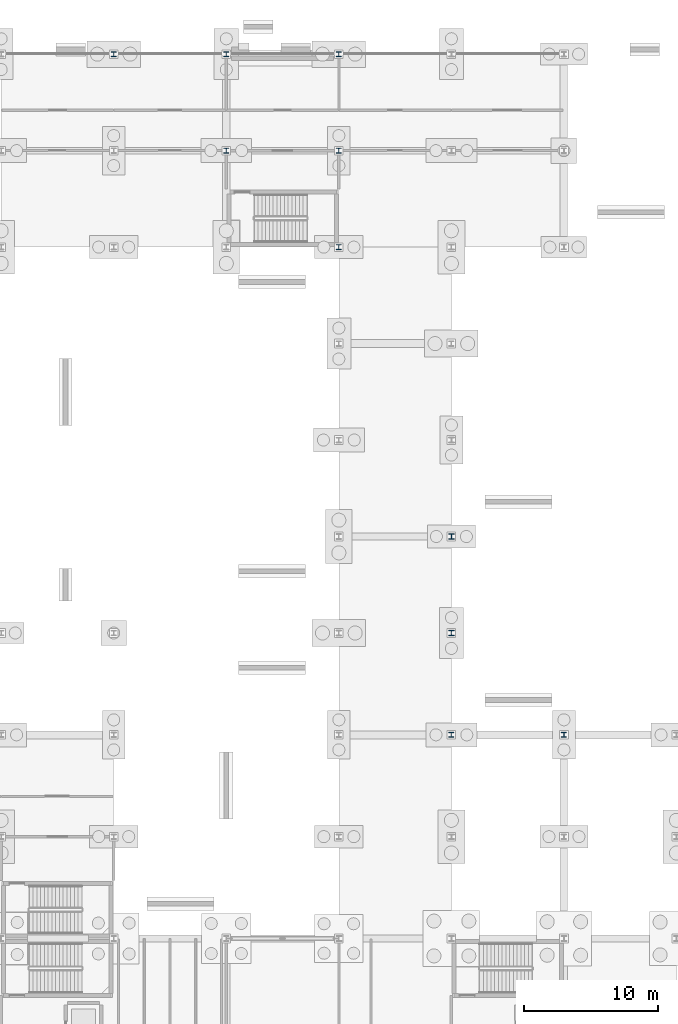
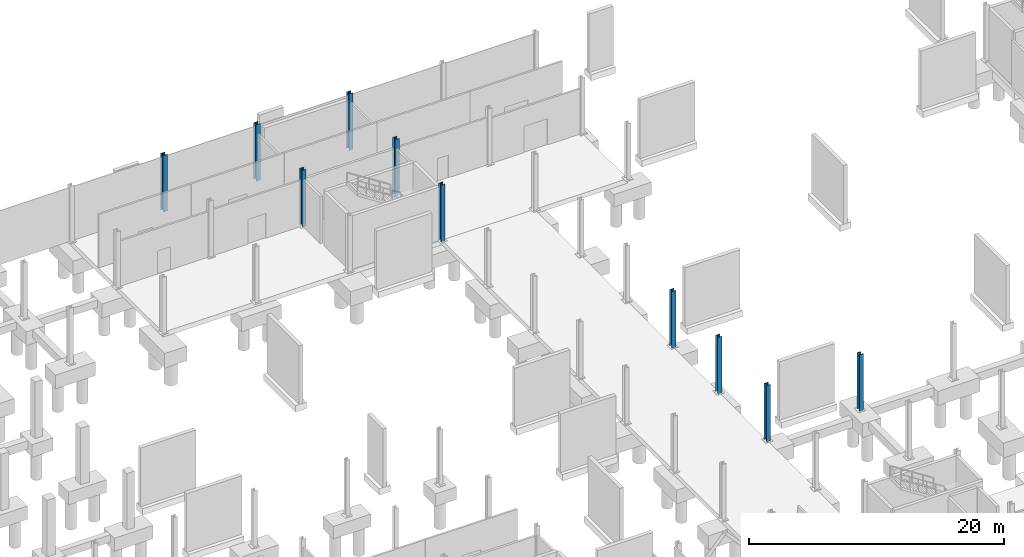
# One storey, part 25 of 61: 10 columns.
"""IFC4 building model written with IfcOpenShell, lengths in metres."""

from ifc_helpers import new_model, si_unit, direction, frame, origin, origin_2d, place, context, subcontext, project, spatial, i_section, extrude, material, material_profile, profile_set, type_object, element, save


model = new_model("IFC4")

# Units and contexts
model_context = context("Model", 3, precision=1e-05, world=origin(), true_north=direction((0.0, 1.0)))
body_context = subcontext(model_context, "Body", "Model", "MODEL_VIEW")
ifc_project = project(units=[si_unit("LENGTHUNIT", "METRE"), si_unit("AREAUNIT", "SQUARE_METRE"), si_unit("VOLUMEUNIT", "CUBIC_METRE"), si_unit("PLANEANGLEUNIT", "RADIAN"), si_unit("MASSUNIT", "GRAM", prefix="KILO")], contexts=[model_context])

# Site, building, storey
site_placement = place(None, origin())
site = spatial("IfcSite", under=ifc_project, at=site_placement, CompositionType="ELEMENT")
building_placement = place(site_placement, origin())
building = spatial("IfcBuilding", under=site, at=building_placement, Name="Calvrana Isthmian Art Gallery", CompositionType="ELEMENT")
storey_placement = place(building_placement, frame((0.0, 0.0, -5.39990234375)))
storey = spatial("IfcBuildingStorey", under=building, at=storey_placement, Name="B1", CompositionType="ELEMENT", Elevation=-5.39990234375)

# Columns
ifc_material = material(Name="Steel ASTM A992 Gr 50", Category="steel")
ifc_material_profile_1 = material_profile(ifc_material, i_section(OverallWidth=0.373046875, OverallDepth=0.373046875, WebThickness=0.016357421875, FlangeThickness=0.026123046875, FilletRadius=0.02490234375, at=origin_2d()), Name="W14X132")
ifc_profile_set_1 = profile_set([ifc_material_profile_1], Name="Steel ASTM A992 Gr 50")
column_type_1 = type_object("IfcColumnType", Name="COL-STL-W14X132", PredefinedType="COLUMN", material=ifc_profile_set_1)
for number, where, z_axis, x_axis, name in (
    (1, (46.800048828125, 105.60009765625, 0.0), (0.0, 0.0, 1.0), (1.0, 0.0, 0.0), "Column 07/O B1"),
    (2, (55.199951171875, 112.800048828125, 0.0), (0.0, 0.0, 1.0), (1.0, 0.0, 0.0), "Column 08/P B1"),
    (3, (63.60009765625, 62.0, 0.0), (0.0, 0.0, 1.0), (1.0, 0.0, 0.0), "Column 09/I B1"),
    (4, (72.0, 62.0, 0.0), (0.0, 0.0, 1.0), (1.0, 0.0, 0.0), "Column 10/I B1"),
):
    element("IfcColumn", number, at=place(storey_placement, frame(where, z_axis=z_axis, x_axis=x_axis)), inside=storey, type_object=column_type_1, Name=name, PredefinedType="COLUMN", context=body_context, shape_type="SweptSolid", body=[
        extrude(i_section(OverallWidth=0.373046875, OverallDepth=0.373046875, WebThickness=0.016357421875, FlangeThickness=0.026123046875, FilletRadius=0.02490234375, at=origin_2d()), origin(), (0.0, 0.0, 1.0), 5.39990234375),
    ])
ifc_material_profile_2 = material_profile(ifc_material, i_section(OverallWidth=0.39404296875, OverallDepth=0.3759765625, WebThickness=0.017333984375, FlangeThickness=0.027587890625, FilletRadius=0.02490234375, at=origin_2d()), Name="W14X145")
ifc_profile_set_2 = profile_set([ifc_material_profile_2], Name="Steel ASTM A992 Gr 50")
column_type_2 = type_object("IfcColumnType", Name="COL-STL-W14X145", PredefinedType="COLUMN", material=ifc_profile_set_2)
for number, where, z_axis, x_axis, name in (
    (5, (46.800048828125, 112.800048828125, 0.0), (0.0, 0.0, 1.0), (1.0, 0.0, 0.0), "Column 07/P B1"),
    (6, (63.60009765625, 69.60009765625, 0.0), (0.0, 0.0, 1.0), (1.0, 0.0, 0.0), "Column 09/J B1"),
):
    element("IfcColumn", number, at=place(storey_placement, frame(where, z_axis=z_axis, x_axis=x_axis)), inside=storey, type_object=column_type_2, Name=name, PredefinedType="COLUMN", context=body_context, shape_type="SweptSolid", body=[
        extrude(i_section(OverallWidth=0.39404296875, OverallDepth=0.3759765625, WebThickness=0.017333984375, FlangeThickness=0.027587890625, FilletRadius=0.02490234375, at=origin_2d()), origin(), (0.0, 0.0, 1.0), 5.39990234375),
    ])
ifc_material_profile_3 = material_profile(ifc_material, i_section(OverallWidth=0.39599609375, OverallDepth=0.381103515625, WebThickness=0.018798828125, FlangeThickness=0.0302734375, FilletRadius=0.02490234375, at=origin_2d()), Name="W14X159")
ifc_profile_set_3 = profile_set([ifc_material_profile_3], Name="Steel ASTM A992 Gr 50")
column_type_3 = type_object("IfcColumnType", Name="COL-STL-W14X159", PredefinedType="COLUMN", material=ifc_profile_set_3)
for number, where, z_axis, x_axis, name in (
    (7, (38.39990234375, 112.800048828125, 0.0), (0.0, 0.0, 1.0), (1.0, 0.0, 0.0), "Column 06/P B1"),
    (8, (55.199951171875, 98.39990234375, 0.0), (0.0, 0.0, 1.0), (1.0, 0.0, 0.0), "Column 08/N B1"),
    (9, (63.60009765625, 76.800048828125, 0.0), (0.0, 0.0, 1.0), (1.0, 0.0, 0.0), "Column 09/K B1"),
):
    element("IfcColumn", number, at=place(storey_placement, frame(where, z_axis=z_axis, x_axis=x_axis)), inside=storey, type_object=column_type_3, Name=name, PredefinedType="COLUMN", context=body_context, shape_type="SweptSolid", body=[
        extrude(i_section(OverallWidth=0.39599609375, OverallDepth=0.381103515625, WebThickness=0.018798828125, FlangeThickness=0.0302734375, FilletRadius=0.02490234375, at=origin_2d()), origin(), (0.0, 0.0, 1.0), 5.39990234375),
    ])
ifc_material_profile_4 = material_profile(ifc_material, i_section(OverallWidth=0.39892578125, OverallDepth=0.385986328125, WebThickness=0.02099609375, FlangeThickness=0.033203125, FilletRadius=0.02490234375, at=origin_2d()), Name="W14X176")
ifc_profile_set_4 = profile_set([ifc_material_profile_4], Name="Steel ASTM A992 Gr 50")
column_type_4 = type_object("IfcColumnType", Name="COL-STL-W14X176", PredefinedType="COLUMN", material=ifc_profile_set_4)
column_placement = place(storey_placement, frame((55.199951171875, 105.60009765625, 0.0), z_axis=(0.0, 0.0, 1.0), x_axis=(1.0, 0.0, 0.0)))
element("IfcColumn", 10, at=column_placement, inside=storey, type_object=column_type_4, Name="Column 08/O B1", PredefinedType="COLUMN", context=body_context, shape_type="SweptSolid", body=[
    extrude(i_section(OverallWidth=0.39892578125, OverallDepth=0.385986328125, WebThickness=0.02099609375, FlangeThickness=0.033203125, FilletRadius=0.02490234375, at=origin_2d()), origin(), (0.0, 0.0, 1.0), 5.39990234375),
])

save(model, "model.ifc")
